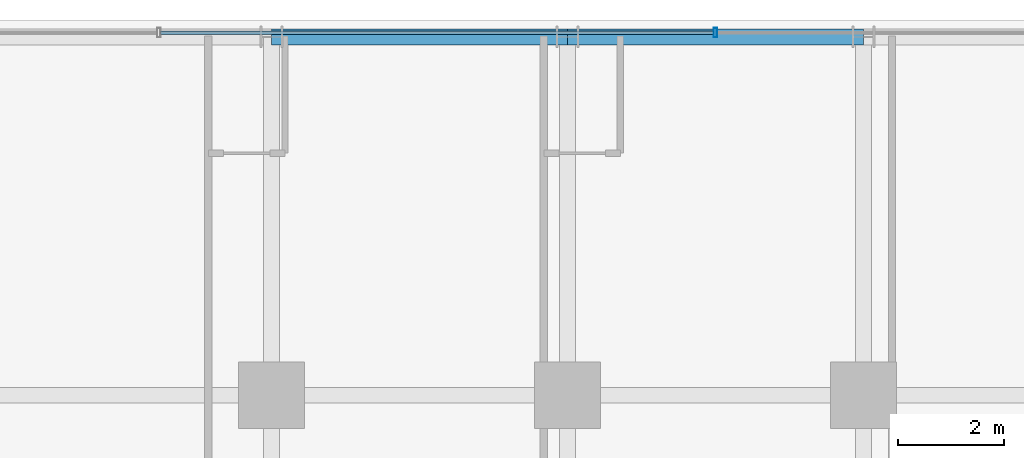
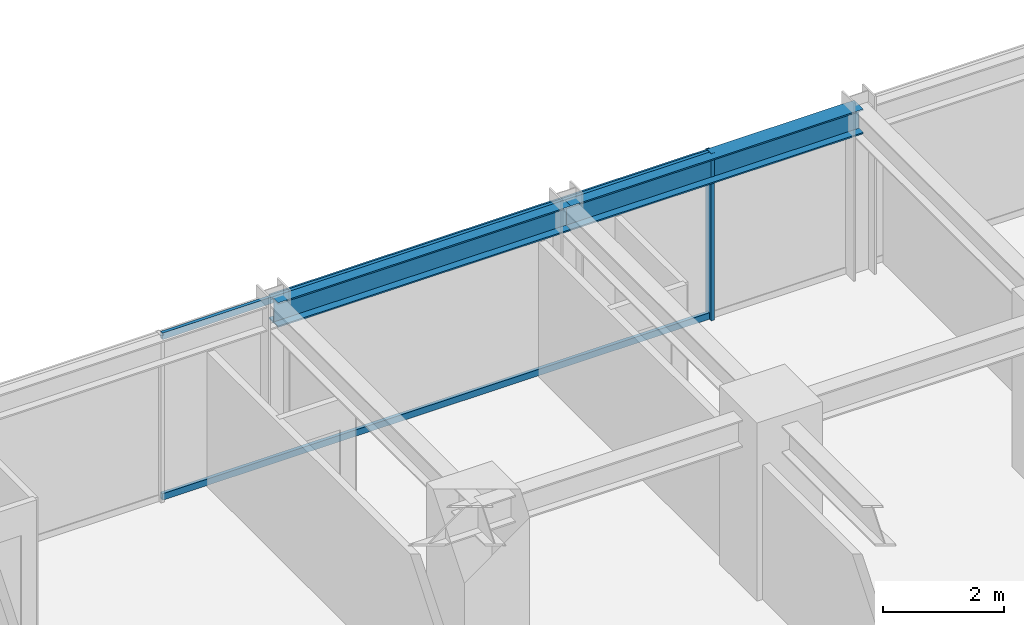
# One storey, part 20 of 33: 3 members, 2 beams, 1 element without a shape of its own.
"""IFC4 building model written with IfcOpenShell, lengths in metres."""

import ifcopenshell
import ifcopenshell.guid

model = None  # the IFC model being written
_history = None  # IfcOwnerHistory: only IFC2X3 demands one
_inside = {}  # id of a spatial element -> (the spatial element, [elements in it])
_under = {}  # id of a project, library or spatial element -> (it, [spatial elements below it])
_declared = {}  # id of a project -> (the project, [libraries it declares])
_typed = {}  # id of a type object -> (the type object, [elements of that type])
_made_of = {}  # id of a material, layer set ... -> (it, [elements and type objects made of it])


def new_model(schema):
    """Start an empty IFC model of exactly this schema.

    Asked for "IFC4X3", IfcOpenShell would pick the latest addendum, in which some entities
    have other attributes; the version numbers below select the first issue.
    IFC2X3 requires an IfcOwnerHistory on every rooted entity: one is made here for all.
    """
    global model, _history
    if schema == "IFC4X3":
        model = ifcopenshell.file(schema_version=(4, 3, 0, 0))
    else:
        model = ifcopenshell.file(schema=schema)
    _inside.clear()
    _under.clear()
    _declared.clear()
    _typed.clear()
    _made_of.clear()
    _history = None
    if model.schema == "IFC2X3":
        org = make("IfcOrganization", Name="unknown")
        user = make(
            "IfcPersonAndOrganization",
            ThePerson=make("IfcPerson", FamilyName="unknown"),
            TheOrganization=org,
        )
        app = make(
            "IfcApplication",
            ApplicationDeveloper=org,
            Version="unknown",
            ApplicationFullName="unknown",
            ApplicationIdentifier="unknown",
        )
        _history = make(
            "IfcOwnerHistory",
            OwningUser=user,
            OwningApplication=app,
            ChangeAction="ADDED",
            CreationDate=0,
        )
    return model


def make(cls, **values):
    """One entity of the class cls with the attributes given. An attribute that is None is left unset."""
    return model.create_entity(
        cls, **{name: value for name, value in values.items() if value is not None}
    )


def rooted(cls, **values):
    """An entity with a GlobalId (a new one), such as an element, a storey or a relation."""
    return make(cls, GlobalId=ifcopenshell.guid.new(), OwnerHistory=_history, **values)


def si_unit(unit_type, name, prefix=None):
    """IfcSIUnit, for example si_unit("LENGTHUNIT", "METRE", prefix="MILLI")."""
    return make("IfcSIUnit", UnitType=unit_type, Prefix=prefix, Name=name)


def assignment(units):
    """IfcUnitAssignment: the units of a project."""
    return None if units is None else make("IfcUnitAssignment", Units=units)


def point(xyz):
    """IfcCartesianPoint."""
    return None if xyz is None else make("IfcCartesianPoint", Coordinates=xyz)


def direction(xyz):
    """IfcDirection."""
    return None if xyz is None else make("IfcDirection", DirectionRatios=xyz)


def frame(location, z_axis=None, x_axis=None):
    """IfcAxis2Placement3D, a coordinate frame: its origin and axes. An axis left out is left unset."""
    return make(
        "IfcAxis2Placement3D",
        Location=point(location),
        Axis=direction(z_axis),
        RefDirection=direction(x_axis),
    )


def frame_2d(location, x_axis=None):
    """IfcAxis2Placement2D, a coordinate frame in the plane: its origin and x axis."""
    return make(
        "IfcAxis2Placement2D", Location=point(location), RefDirection=direction(x_axis)
    )


def origin():
    """The frame at (0, 0, 0) with its axes left unset."""
    return frame((0.0, 0.0, 0.0))


def origin_2d():
    """The frame at (0, 0) in the plane with its x axis left unset."""
    return frame_2d((0.0, 0.0))


def place(relative_to, where):
    """IfcLocalPlacement: puts the frame where relative to a parent placement (None: the world)."""
    return make(
        "IfcLocalPlacement", PlacementRelTo=relative_to, RelativePlacement=where
    )


def context(
    kind, dimensions, precision=None, world=None, true_north=None, identifier=None
):
    """IfcGeometricRepresentationContext, for example the 3D "Model" context."""
    return make(
        "IfcGeometricRepresentationContext",
        ContextIdentifier=identifier,
        ContextType=kind,
        CoordinateSpaceDimension=dimensions,
        Precision=precision,
        WorldCoordinateSystem=world,
        TrueNorth=true_north,
    )


def subcontext(parent, identifier, kind, view, scale=None):
    """IfcGeometricRepresentationSubContext, for example "Body" below "Model"."""
    return make(
        "IfcGeometricRepresentationSubContext",
        ContextIdentifier=identifier,
        ContextType=kind,
        ParentContext=parent,
        TargetScale=scale,
        TargetView=view,
    )


def project(units=None, contexts=None):
    """IfcProject with its units and contexts."""
    return rooted(
        "IfcProject",
        Name="project",
        RepresentationContexts=contexts,
        UnitsInContext=assignment(units),
    )


def spatial(cls, under=None, at=None, **own):
    """A site, building, storey or space (cls), placed at a placement, below another one or the project."""
    s = rooted(cls, ObjectPlacement=at, **own)
    if under is not None:
        _under.setdefault(under.id(), (under, []))[1].append(s)
    return s


def profile(cls, at=None, kind="AREA", **sizes):
    """A parametric profile (cls). Its sizes go by their IFC names, for example OverallWidth=200.0."""
    return make(cls, ProfileType=kind, Position=at, **sizes)


def hollow_rectangle(**sizes):
    """IfcRectangleHollowProfileDef."""
    return profile("IfcRectangleHollowProfileDef", **sizes)


def i_section(**sizes):
    """IfcIShapeProfileDef."""
    return profile("IfcIShapeProfileDef", **sizes)


def extrude(swept, where, along, depth):
    """IfcExtrudedAreaSolid: the profile swept, set in the frame where, extruded along a direction by depth."""
    return make(
        "IfcExtrudedAreaSolid",
        SweptArea=swept,
        Position=where,
        ExtrudedDirection=direction(along),
        Depth=depth,
    )


def shape(context_of_items, identifier, shape_type, items):
    """IfcShapeRepresentation: the items that make up one representation, for example the "Body"."""
    return make(
        "IfcShapeRepresentation",
        ContextOfItems=context_of_items,
        RepresentationIdentifier=identifier,
        RepresentationType=shape_type,
        Items=items,
    )


def source(mapping_origin, context_of_items, identifier, shape_type, items):
    """IfcRepresentationMap: a shape defined once, which mapped items show again and again."""
    return make(
        "IfcRepresentationMap",
        MappingOrigin=mapping_origin,
        MappedRepresentation=shape(context_of_items, identifier, shape_type, items),
    )


def transform(
    local_origin,
    x_axis=None,
    y_axis=None,
    z_axis=None,
    scale=None,
    scale2=None,
    scale3=None,
    uniform=True,
):
    """IfcCartesianTransformationOperator3D, or its non-uniform kind. x_axis, y_axis, z_axis: its Axis1, 2, 3."""
    if uniform:
        return make(
            "IfcCartesianTransformationOperator3D",
            Axis1=direction(x_axis),
            Axis2=direction(y_axis),
            LocalOrigin=point(local_origin),
            Scale=scale,
            Axis3=direction(z_axis),
        )
    return make(
        "IfcCartesianTransformationOperator3DnonUniform",
        Axis1=direction(x_axis),
        Axis2=direction(y_axis),
        LocalOrigin=point(local_origin),
        Scale=scale,
        Axis3=direction(z_axis),
        Scale2=scale2,
        Scale3=scale3,
    )


def mapped(mapping_source, mapping_target):
    """IfcMappedItem: shows the shape of a source again, moved by a transform."""
    return make(
        "IfcMappedItem", MappingSource=mapping_source, MappingTarget=mapping_target
    )


def material(Name=None, Category=None):
    """IfcMaterial."""
    return make("IfcMaterial", Name=Name, Category=Category)


def material_profile(
    of_material, cross_section, Name=None, Category=None, Priority=None
):
    """IfcMaterialProfile: a cross section and its material."""
    return make(
        "IfcMaterialProfile",
        Name=Name,
        Material=of_material,
        Profile=cross_section,
        Priority=Priority,
        Category=Category,
    )


def profile_set(profiles, Name=None, composite=None):
    """IfcMaterialProfileSet."""
    return make(
        "IfcMaterialProfileSet",
        Name=Name,
        MaterialProfiles=profiles,
        CompositeProfile=composite,
    )


def made_of(thing, what):
    """Note that an element or type object is made of a material, layer set ...; save() writes the relation."""
    if what is not None:
        _made_of.setdefault(what.id(), (what, []))[1].append(thing)
    return thing


def type_object(cls, material=None, **own):
    """A type object (cls), such as IfcWallType, which elements share."""
    return made_of(rooted(cls, **own), material)


def element(
    cls,
    number,
    at=None,
    inside=None,
    cuts=None,
    type_object=None,
    material=None,
    context=None,
    identifier="Body",
    shape_type=None,
    held_by="IfcProductDefinitionShape",
    body=None,
    shapes=None,
    **own,
):
    """One element of the class cls, such as IfcWall. Its Tag is "e" and its number.

    at: its placement. inside: the storey or other place that contains it. cuts: it is an
    opening in that element (IfcRelVoidsElement). A single representation is given by context,
    identifier, shape_type and body (its items); several are given by shapes. held_by: the class
    of the entity that holds the representations. save() writes the other relations.
    """
    e = rooted(cls, Tag="e%d" % number, ObjectPlacement=at, **own)
    if body is not None:
        shapes = [shape(context, identifier, shape_type, body)]
    if shapes is not None:
        e.Representation = make(held_by, Representations=shapes)
    if inside is not None:
        _inside.setdefault(inside.id(), (inside, []))[1].append(e)
    if cuts is not None:
        rooted(
            "IfcRelVoidsElement", RelatingBuildingElement=cuts, RelatedOpeningElement=e
        )
    if type_object is not None:
        _typed.setdefault(type_object.id(), (type_object, []))[1].append(e)
    return made_of(e, material)


def aggregate(whole, parts):
    """IfcRelAggregates: a whole, such as a stair, and the parts it consists of."""
    return rooted("IfcRelAggregates", RelatingObject=whole, RelatedObjects=parts)


def save(model, path):
    """Write the relations noted so far, then the file.

    IfcRelAggregates (storeys below a building ...), IfcRelContainedInSpatialStructure (elements
    in a storey), IfcRelDefinesByType, IfcRelAssociatesMaterial and IfcRelDeclares: one each for
    every whole, place, type object, material and project.
    """
    for whole, parts in _under.values():
        aggregate(whole, parts)
    for where, things in _inside.values():
        rooted(
            "IfcRelContainedInSpatialStructure",
            RelatedElements=things,
            RelatingStructure=where,
        )
    for kind, things in _typed.values():
        rooted("IfcRelDefinesByType", RelatedObjects=things, RelatingType=kind)
    for what, things in _made_of.values():
        rooted("IfcRelAssociatesMaterial", RelatedObjects=things, RelatingMaterial=what)
    for by, libraries in _declared.values():
        rooted("IfcRelDeclares", RelatingContext=by, RelatedDefinitions=libraries)
    model.write(path)


model = new_model("IFC4")

# Units and contexts
model_context = context("Model", 3, precision=1e-05, world=origin(), true_north=direction((0.0, 1.0)))
body_context = subcontext(model_context, "Body", "Model", "MODEL_VIEW")
ifc_project = project(units=[si_unit("LENGTHUNIT", "METRE"), si_unit("AREAUNIT", "SQUARE_METRE"), si_unit("VOLUMEUNIT", "CUBIC_METRE"), si_unit("PLANEANGLEUNIT", "RADIAN"), si_unit("MASSUNIT", "GRAM", prefix="KILO")], contexts=[model_context])

# Site, building, storey
site_placement = place(None, origin())
site = spatial("IfcSite", under=ifc_project, at=site_placement, CompositionType="ELEMENT")
building_placement = place(site_placement, origin())
building = spatial("IfcBuilding", under=site, at=building_placement, Name="Nahalor Promenade Grand Hotel", CompositionType="ELEMENT")
storey_placement = place(building_placement, frame((0.0, 0.0, 132.10009765625)))
storey = spatial("IfcBuildingStorey", under=building, at=storey_placement, Name="L33", CompositionType="ELEMENT", Elevation=132.10009765625)

# Beams
ifc_material_1 = material(Name="Steel S355JR", Category="steel")
ifc_material_profile_1 = material_profile(ifc_material_1, i_section(OverallWidth=0.3, OverallDepth=0.5, WebThickness=0.0145, FlangeThickness=0.028, at=origin_2d()), Name="HEB 500")
ifc_profile_set_1 = profile_set([ifc_material_profile_1], Name="Steel S355JR")
beam_type = type_object("IfcBeamType", Name="Beam-Spandrel-HEB500", PredefinedType="SPANDREL", material=ifc_profile_set_1)
shared_shape_1 = source(origin(), body_context, "Body", "SweptSolid", [
    extrude(i_section(OverallWidth=0.3, OverallDepth=0.5, WebThickness=0.0145, FlangeThickness=0.028, at=origin_2d()), origin(), (0.0, 0.0, 1.0), 5.599853515625),
])
beam_1_placement = place(storey_placement, frame((-8.39990234375, 23.780029296875, 3.1298828125), z_axis=(1.0, 0.0, 0.0), x_axis=(0.0, 1.0, 0.0)))
element("IfcBeam", 1, at=beam_1_placement, inside=storey, type_object=beam_type, Name="BM-L33-SP-N-1", PredefinedType="SPANDREL", context=body_context, shape_type="MappedRepresentation", body=[
    mapped(shared_shape_1, transform((0.0, 0.0, 0.0), scale=1.0)),
])
shared_shape_2 = source(origin(), body_context, "Body", "SweptSolid", [
    extrude(i_section(OverallWidth=0.3, OverallDepth=0.5, WebThickness=0.0145, FlangeThickness=0.028, at=origin_2d()), origin(), (0.0, 0.0, 1.0), 5.60009765625),
])
beam_2_placement = place(storey_placement, frame((-2.800048828125, 23.780029296875, 3.1298828125), z_axis=(1.0, 0.0, 0.0), x_axis=(0.0, 1.0, 0.0)))
element("IfcBeam", 2, at=beam_2_placement, inside=storey, type_object=beam_type, Name="BM-L33-SP-N-2", PredefinedType="SPANDREL", context=body_context, shape_type="MappedRepresentation", body=[
    mapped(shared_shape_2, transform((0.0, 0.0, 0.0), scale=1.0)),
])

# Curtain wall, members
ifc_material_2 = material(Name="Anodised Bronze Aluminium EN AW-6063 T6", Category="aluminium")
curtain_wall_type = type_object("IfcCurtainWallType", Name="CW2 Typical Hotel Flush Bronze Unitised Curtain Wall", PredefinedType="USERDEFINED", material=ifc_material_2)
curtain_wall_placement = place(storey_placement, origin())
curtain_wall = element("IfcCurtainWall", 3, at=curtain_wall_placement, inside=storey, type_object=curtain_wall_type, Name="L33 Curtain Wall CW-L33-N-1", ObjectType="UNITISED_CURTAIN_WALL", PredefinedType="USERDEFINED")
ifc_material_profile_2 = material_profile(ifc_material_2, hollow_rectangle(XDim=0.065, YDim=0.18, WallThickness=0.004, at=origin_2d()), Name="CWM 65x180x4")
ifc_profile_set_2 = profile_set([ifc_material_profile_2], Name="Anodised Bronze Aluminium EN AW-6063 T6")
member_type_1 = type_object("IfcMemberType", Name="CWM2 Typical Bronze Mullion 65x180", PredefinedType="MULLION", material=ifc_profile_set_2)
shared_shape_3 = source(origin(), body_context, "Body", "SweptSolid", [
    extrude(hollow_rectangle(XDim=0.065, YDim=0.18, WallThickness=0.004, at=origin_2d()), origin(), (0.0, 0.0, 1.0), 3.3798828125),
])
member_1_placement = place(storey_placement, frame((0.0, 23.860107421875, 0.0), z_axis=(0.0, 0.0, 1.0), x_axis=(1.0, 0.0, 0.0)))
member_1 = element("IfcMember", 4, at=member_1_placement, type_object=member_type_1, Name="CW-L33-N-1 Mullion 2", PredefinedType="MULLION", context=body_context, shape_type="MappedRepresentation", body=[
    mapped(shared_shape_3, transform((0.0, 0.0, 0.0), scale=1.0)),
])
ifc_material_profile_3 = material_profile(ifc_material_2, hollow_rectangle(XDim=0.065, YDim=0.13, WallThickness=0.004, at=origin_2d()), Name="CWT 65x130x4")
ifc_profile_set_3 = profile_set([ifc_material_profile_3], Name="Anodised Bronze Aluminium EN AW-6063 T6")
member_type_2 = type_object("IfcMemberType", Name="CWT2 Typical Bronze Transom 65x130", PredefinedType="USERDEFINED", material=ifc_profile_set_3)
shared_shape_4 = source(origin(), body_context, "Body", "SweptSolid", [
    extrude(hollow_rectangle(XDim=0.065, YDim=0.13, WallThickness=0.004, at=origin_2d()), origin(), (0.0, 0.0, 1.0), 10.465087890625),
])
member_2_placement = place(storey_placement, frame((-10.49755859375, 23.860107421875, 0.06494140625), z_axis=(1.0, 0.0, 0.0), x_axis=(0.0, 1.0, 0.0)))
member_2 = element("IfcMember", 5, at=member_2_placement, type_object=member_type_2, Name="CW-L33-N-1 Transom 1-0", ObjectType="TRANSOM", PredefinedType="USERDEFINED", context=body_context, shape_type="MappedRepresentation", body=[
    mapped(shared_shape_4, transform((0.0, 0.0, 0.0), scale=1.0)),
])
member_3_placement = place(storey_placement, frame((-10.49755859375, 23.860107421875, 3.31494140625), z_axis=(1.0, 0.0, 0.0), x_axis=(0.0, 1.0, 0.0)))
member_3 = element("IfcMember", 6, at=member_3_placement, type_object=member_type_2, Name="CW-L33-N-1 Transom 1-1", ObjectType="TRANSOM", PredefinedType="USERDEFINED", context=body_context, shape_type="MappedRepresentation", body=[
    mapped(shared_shape_4, transform((0.0, 0.0, 0.0), scale=1.0)),
])
aggregate(curtain_wall, [member_1, member_2, member_3])

save(model, "model.ifc")
